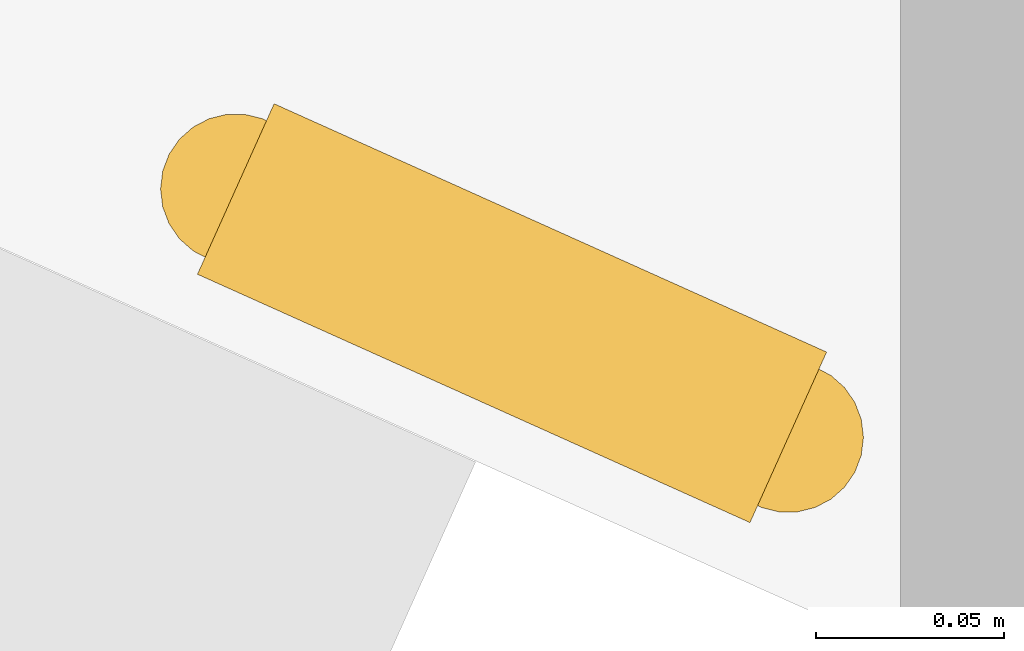
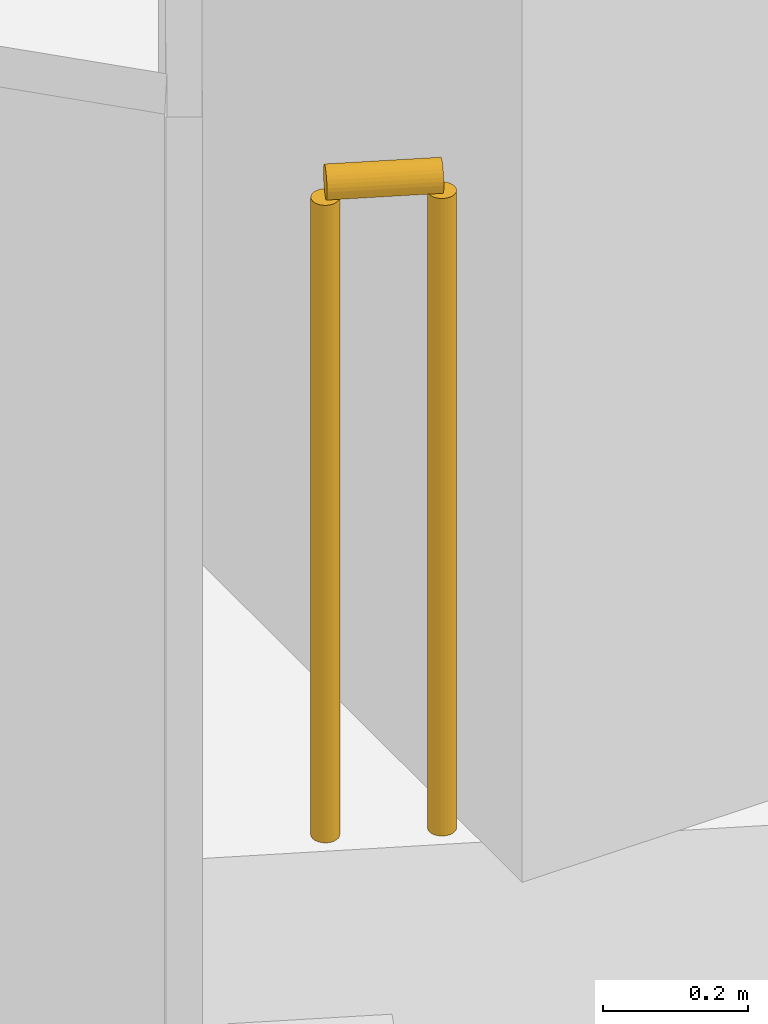
# One storey, part 31 of 34: 1 railing.
"""IFC4 building model written with IfcOpenShell, lengths in metres."""

from ifc_helpers import new_model, si_unit, direction, frame, origin, origin_2d, place, context, subcontext, project, spatial, circle, extrude, material, type_object, element, save


model = new_model("IFC4")

# Units and contexts
model_context = context("Model", 3, precision=1e-05, world=origin(), true_north=direction((0.0, 1.0)))
body_context = subcontext(model_context, "Body", "Model", "MODEL_VIEW")
ifc_project = project(units=[si_unit("LENGTHUNIT", "METRE"), si_unit("AREAUNIT", "SQUARE_METRE"), si_unit("VOLUMEUNIT", "CUBIC_METRE"), si_unit("PLANEANGLEUNIT", "RADIAN"), si_unit("MASSUNIT", "GRAM", prefix="KILO")], contexts=[model_context])

# Site, building, storey
site_placement = place(None, origin())
site = spatial("IfcSite", under=ifc_project, at=site_placement, CompositionType="ELEMENT")
building_placement = place(site_placement, origin())
building = spatial("IfcBuilding", under=site, at=building_placement, Name="Orlundy Tower", CompositionType="ELEMENT")
storey_placement = place(building_placement, frame((0.0, 0.0, 127.199951171875)))
storey = spatial("IfcBuildingStorey", under=building, at=storey_placement, Name="L32", CompositionType="ELEMENT", Elevation=127.199951171875)

# Railing
ifc_material = material(Name="Stainless steel bronze finish", Category="steel")
railing_type = type_object("IfcRailingType", Name="TG1 terrace guard", PredefinedType="GUARDRAIL", material=ifc_material)
railing_placement = place(storey_placement, frame((-34.001953125, -51.010498046875, 0.0)))
element("IfcRailing", 1, at=railing_placement, inside=storey, type_object=railing_type, Name="Guard TG-L32-E00", PredefinedType="GUARDRAIL", context=body_context, shape_type="SweptSolid", body=[
    extrude(circle(Radius=0.02490234375, at=origin_2d()), frame((0.0, 0.0, 1.09521484375), z_axis=(-0.912119519622, 0.409924361223, 0.0), x_axis=(-0.409924361223, -0.912119519622, 0.0)), (0.0, 0.0, 1.0), 0.161376953125),
    extrude(circle(Radius=0.02001953125, at=origin_2d()), origin(), (0.0, 0.0, 1.0), 1.070068359375),
    extrude(circle(Radius=0.02001953125, at=origin_2d()), frame((-0.147216796875, 0.066162109375, 0.0)), (0.0, 0.0, 1.0), 1.070068359375),
])

save(model, "model.ifc")
